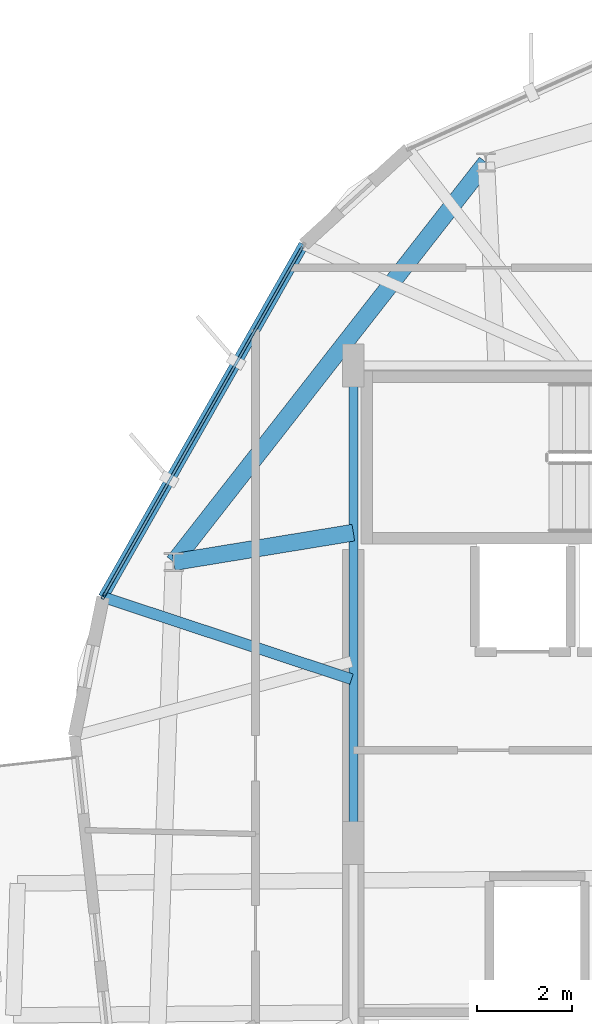
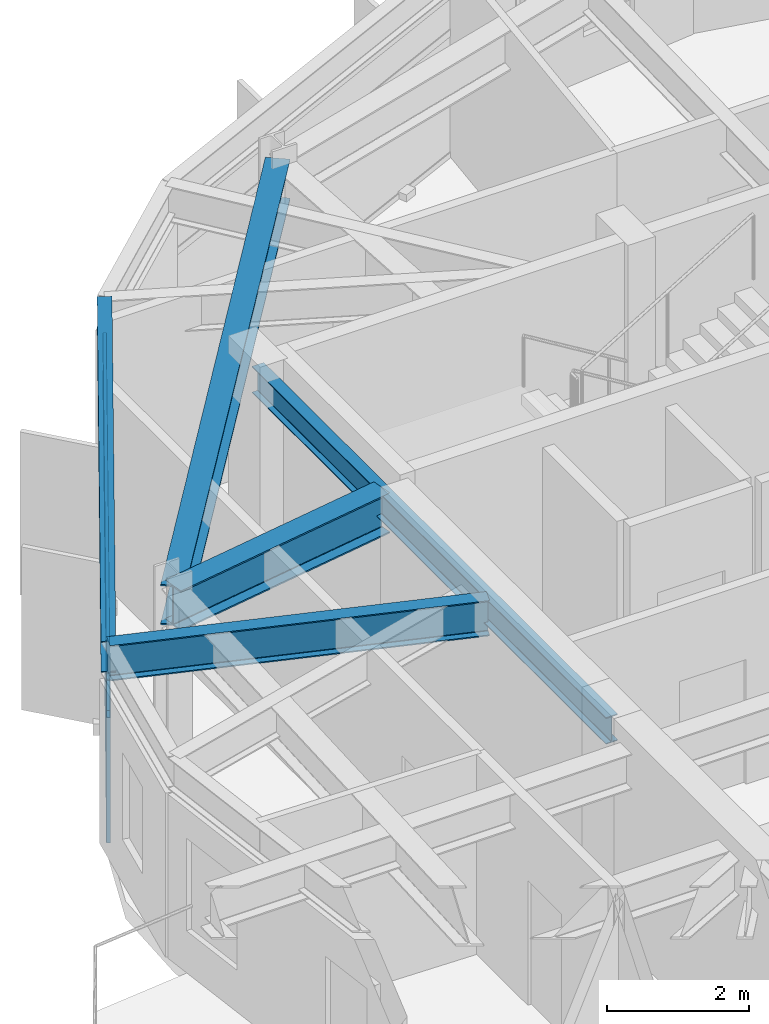
# One storey, part 8 of 23: 5 beams, 4 members, 1 element without a shape of its own.
"""IFC4 building model written with IfcOpenShell, lengths in metres."""

from ifc_helpers import new_model, si_unit, direction, frame, origin, origin_2d, place, context, subcontext, project, spatial, hollow_rectangle, i_section, extrude, material, layer, layer_set, material_profile, profile_set, type_object, element, aggregate, save


model = new_model("IFC4")

# Units and contexts
model_context = context("Model", 3, precision=1e-05, world=origin(), true_north=direction((0.0, 1.0)))
body_context = subcontext(model_context, "Body", "Model", "MODEL_VIEW")
ifc_project = project(units=[si_unit("LENGTHUNIT", "METRE"), si_unit("AREAUNIT", "SQUARE_METRE"), si_unit("VOLUMEUNIT", "CUBIC_METRE"), si_unit("PLANEANGLEUNIT", "RADIAN"), si_unit("MASSUNIT", "GRAM", prefix="KILO")], contexts=[model_context])

# Site, building, storey
site_placement = place(None, origin())
site = spatial("IfcSite", under=ifc_project, at=site_placement, CompositionType="ELEMENT")
building_placement = place(site_placement, origin())
building = spatial("IfcBuilding", under=site, at=building_placement, Name="Soratama Intermodal Tower", CompositionType="ELEMENT")
storey_placement = place(building_placement, frame((0.0, 0.0, 257.5)))
storey = spatial("IfcBuildingStorey", under=building, at=storey_placement, Name="L65", CompositionType="ELEMENT", Elevation=257.5)

# Beams
ifc_material_1 = material(Name="Structural steel ASTM A992 Grade 50", Category="steel")
ifc_material_profile_1 = material_profile(ifc_material_1, i_section(OverallWidth=0.19091796875, OverallDepth=0.4599609375, WebThickness=0.010009765625, FlangeThickness=0.01611328125, FilletRadius=0.010986328125, at=origin_2d()), Name="W18X55")
ifc_profile_set_1 = profile_set([ifc_material_profile_1], Name="Structural steel ASTM A992 Grade 50")
beam_type_1 = type_object("IfcBeamType", Name="BM-FLR-W18X55", PredefinedType="BEAM", material=ifc_profile_set_1)
beam_1_placement = place(storey_placement, frame((32.60009765625, 35.0, 3.219970703125), z_axis=(0.0, -1.0, 0.0), x_axis=(1.0, 0.0, 0.0)))
element("IfcBeam", 1, at=beam_1_placement, inside=storey, type_object=beam_type_1, Name="BM-L65-CRING-08", PredefinedType="BEAM", context=body_context, shape_type="SweptSolid", body=[
    extrude(i_section(OverallWidth=0.19091796875, OverallDepth=0.4599609375, WebThickness=0.010009765625, FlangeThickness=0.01611328125, FilletRadius=0.010986328125, at=origin_2d()), origin(), (0.0, 0.0, 1.0), 10.0),
])
ifc_material_2 = material(Name="Structural steel ASTM A992 Grade 50", Category="steel")
ifc_material_profile_2 = material_profile(ifc_material_2, i_section(OverallWidth=0.35498046875, OverallDepth=0.695068359375, WebThickness=0.015380859375, FlangeThickness=0.02490234375, FilletRadius=0.01611328125, at=origin_2d()), Name="W27X146")
ifc_profile_set_2 = profile_set([ifc_material_profile_2], Name="Structural steel ASTM A992 Grade 50")
beam_type_2 = type_object("IfcBeamType", Name="BM-RING-W27X146", PredefinedType="BEAM", material=ifc_profile_set_2)
beam_2_placement = place(storey_placement, frame((35.382080078125, 39.259033203125, 3.1025390625), z_axis=(-0.6157278291, -0.787958907858, 0.0), x_axis=(0.787958907858, -0.6157278291, 0.0)))
element("IfcBeam", 2, at=beam_2_placement, inside=storey, type_object=beam_type_2, Name="BM-L65-RING-04", PredefinedType="BEAM", context=body_context, shape_type="SweptSolid", body=[
    extrude(i_section(OverallWidth=0.35498046875, OverallDepth=0.695068359375, WebThickness=0.015380859375, FlangeThickness=0.02490234375, FilletRadius=0.01611328125, at=origin_2d()), origin(), (0.0, 0.0, 1.0), 10.6298828125),
])
beam_3_placement = place(storey_placement, frame((32.60009765625, 31.5, 3.1025390625), z_axis=(-0.986826492219, -0.161782181513, 0.0), x_axis=(0.161782181513, -0.986826492219, 0.0)))
element("IfcBeam", 3, at=beam_3_placement, inside=storey, type_object=beam_type_2, Name="BM-L65-RAD-05", PredefinedType="BEAM", context=body_context, shape_type="SweptSolid", body=[
    extrude(i_section(OverallWidth=0.35498046875, OverallDepth=0.695068359375, WebThickness=0.015380859375, FlangeThickness=0.02490234375, FilletRadius=0.01611328125, at=origin_2d()), origin(), (0.0, 0.0, 1.0), 3.8134765625),
])
ifc_material_3 = material(Name="Structural steel ASTM A992 Grade 50", Category="steel")
ifc_material_profile_3 = material_profile(ifc_material_3, i_section(OverallWidth=0.2099609375, OverallDepth=0.537109375, WebThickness=0.010986328125, FlangeThickness=0.017333984375, FilletRadius=0.012939453125, at=origin_2d()), Name="W21X68")
ifc_profile_set_3 = profile_set([ifc_material_profile_3], Name="Structural steel ASTM A992 Grade 50")
beam_type_3 = type_object("IfcBeamType", Name="BM-SPN-W21X68", PredefinedType="SPANDREL", material=ifc_profile_set_3)
beam_4_placement = place(storey_placement, frame((31.56103515625, 37.535888671875, 3.181396484375), z_axis=(-0.494541834217, -0.869153826551, 0.0), x_axis=(0.869153826551, -0.494541834217, 0.0)))
element("IfcBeam", 4, at=beam_4_placement, inside=storey, type_object=beam_type_3, Name="BS-L65-F03", PredefinedType="SPANDREL", context=body_context, shape_type="SweptSolid", body=[
    extrude(i_section(OverallWidth=0.2099609375, OverallDepth=0.537109375, WebThickness=0.010986328125, FlangeThickness=0.017333984375, FilletRadius=0.012939453125, at=origin_2d()), origin(), (0.0, 0.0, 1.0), 8.4990234375),
])
ifc_material_4 = material(Name="Structural steel ASTM A992 Grade 50", Category="steel")
ifc_material_profile_4 = material_profile(ifc_material_4, i_section(OverallWidth=0.22900390625, OverallDepth=0.612060546875, WebThickness=0.011962890625, FlangeThickness=0.01953125, FilletRadius=0.012939453125, at=origin_2d()), Name="W24X84")
ifc_profile_set_4 = profile_set([ifc_material_profile_4], Name="Structural steel ASTM A992 Grade 50")
beam_type_4 = type_object("IfcBeamType", Name="BM-TIE-W24X84", PredefinedType="BEAM", material=ifc_profile_set_4)
beam_5_placement = place(storey_placement, frame((32.56201171875, 28.430908203125, 3.14404296875), z_axis=(-0.94959258312, 0.313486723936, 0.0), x_axis=(-0.313486723936, -0.94959258312, 0.0)))
element("IfcBeam", 5, at=beam_5_placement, inside=storey, type_object=beam_type_4, Name="BM-L65-TIE1-03", PredefinedType="BEAM", context=body_context, shape_type="SweptSolid", body=[
    extrude(i_section(OverallWidth=0.22900390625, OverallDepth=0.612060546875, WebThickness=0.011962890625, FlangeThickness=0.01953125, FilletRadius=0.012939453125, at=origin_2d()), origin(), (0.0, 0.0, 1.0), 5.48046875),
])

# Curtain wall, members
ifc_material_5 = material(Name="Double-glazed aluminium curtain wall", Category="aluminium")
ifc_layer = layer(ifc_material_5, 0.159912109375)
ifc_layer_set = layer_set([ifc_layer], Name="Double-glazed aluminium curtain wall")
curtain_wall_type = type_object("IfcCurtainWallType", Name="CW-SYS-5", PredefinedType="NOTDEFINED", material=ifc_layer_set)
curtain_wall_placement = place(storey_placement, origin())
curtain_wall = element("IfcCurtainWall", 6, at=curtain_wall_placement, inside=storey, type_object=curtain_wall_type, Name="L65 Faceted Curtain Wall F03", PredefinedType="NOTDEFINED")
ifc_material_6 = material(Name="Anodised aluminium AA 6063-T6", Category="aluminium")
ifc_material_profile_5 = material_profile(ifc_material_6, hollow_rectangle(XDim=0.06494140625, YDim=0.139892578125, WallThickness=0.0048828125, InnerFilletRadius=0.0048828125, OuterFilletRadius=0.010009765625, at=origin_2d()), Name="CWM140X65X5")
ifc_profile_set_5 = profile_set([ifc_material_profile_5], Name="Anodised aluminium AA 6063-T6")
member_type_1 = type_object("IfcMemberType", Name="MT-CWM-5", PredefinedType="MULLION", material=ifc_profile_set_5)
member_1_placement = place(storey_placement, frame((27.372802734375, 30.1748046875, 0.0), z_axis=(0.0, 0.0, 1.0), x_axis=(0.869148137926, -0.494551831803, 0.0)))
member_1 = element("IfcMember", 7, at=member_1_placement, type_object=member_type_1, Name="CW-5 mullion 2", PredefinedType="MULLION", context=body_context, shape_type="SweptSolid", body=[
    extrude(hollow_rectangle(XDim=0.06494140625, YDim=0.139892578125, WallThickness=0.0048828125, InnerFilletRadius=0.0048828125, OuterFilletRadius=0.010009765625, at=origin_2d()), origin(), (0.0, 0.0, 1.0), 2.8291015625),
])
ifc_material_7 = material(Name="Anodised aluminium AA 6063-T6", Category="aluminium")
ifc_material_profile_6 = material_profile(ifc_material_7, hollow_rectangle(XDim=0.06005859375, YDim=0.1298828125, WallThickness=0.0048828125, InnerFilletRadius=0.0048828125, OuterFilletRadius=0.010009765625, at=origin_2d()), Name="CWT130X60X5")
ifc_profile_set_6 = profile_set([ifc_material_profile_6], Name="Anodised aluminium AA 6063-T6")
member_type_2 = type_object("IfcMemberType", Name="TT-CWT-2", PredefinedType="USERDEFINED", material=ifc_profile_set_6)
member_2_placement = place(storey_placement, frame((31.53173828125, 37.484130859375, 0.030029296875), z_axis=(-0.494559919592, -0.869143535863, 0.0), x_axis=(0.869143535863, -0.494559919592, 0.0)))
member_2 = element("IfcMember", 8, at=member_2_placement, type_object=member_type_2, Name="CW-5 transom 1.1", ObjectType="TRANSOM", PredefinedType="USERDEFINED", context=body_context, shape_type="SweptSolid", body=[
    extrude(hollow_rectangle(XDim=0.06005859375, YDim=0.1298828125, WallThickness=0.0048828125, InnerFilletRadius=0.0048828125, OuterFilletRadius=0.010009765625, at=origin_2d()), origin(), (0.0, 0.0, 1.0), 8.379638671875),
])
member_3_placement = place(storey_placement, frame((31.53173828125, 37.484130859375, 2.14990234375), z_axis=(-0.494559919592, -0.869143535863, 0.0), x_axis=(0.869143535863, -0.494559919592, 0.0)))
member_3 = element("IfcMember", 9, at=member_3_placement, type_object=member_type_2, Name="CW-5 transom 1.2", ObjectType="TRANSOM", PredefinedType="USERDEFINED", context=body_context, shape_type="SweptSolid", body=[
    extrude(hollow_rectangle(XDim=0.06005859375, YDim=0.1298828125, WallThickness=0.0048828125, InnerFilletRadius=0.0048828125, OuterFilletRadius=0.010009765625, at=origin_2d()), origin(), (0.0, 0.0, 1.0), 8.379638671875),
])
member_4_placement = place(storey_placement, frame((31.53173828125, 37.484130859375, 2.799072265625), z_axis=(-0.494559919592, -0.869143535863, 0.0), x_axis=(0.869143535863, -0.494559919592, 0.0)))
member_4 = element("IfcMember", 10, at=member_4_placement, type_object=member_type_2, Name="CW-5 transom 1.3", ObjectType="TRANSOM", PredefinedType="USERDEFINED", context=body_context, shape_type="SweptSolid", body=[
    extrude(hollow_rectangle(XDim=0.06005859375, YDim=0.1298828125, WallThickness=0.0048828125, InnerFilletRadius=0.0048828125, OuterFilletRadius=0.010009765625, at=origin_2d()), origin(), (0.0, 0.0, 1.0), 8.379638671875),
])
aggregate(curtain_wall, [member_1, member_2, member_3, member_4])

save(model, "model.ifc")
